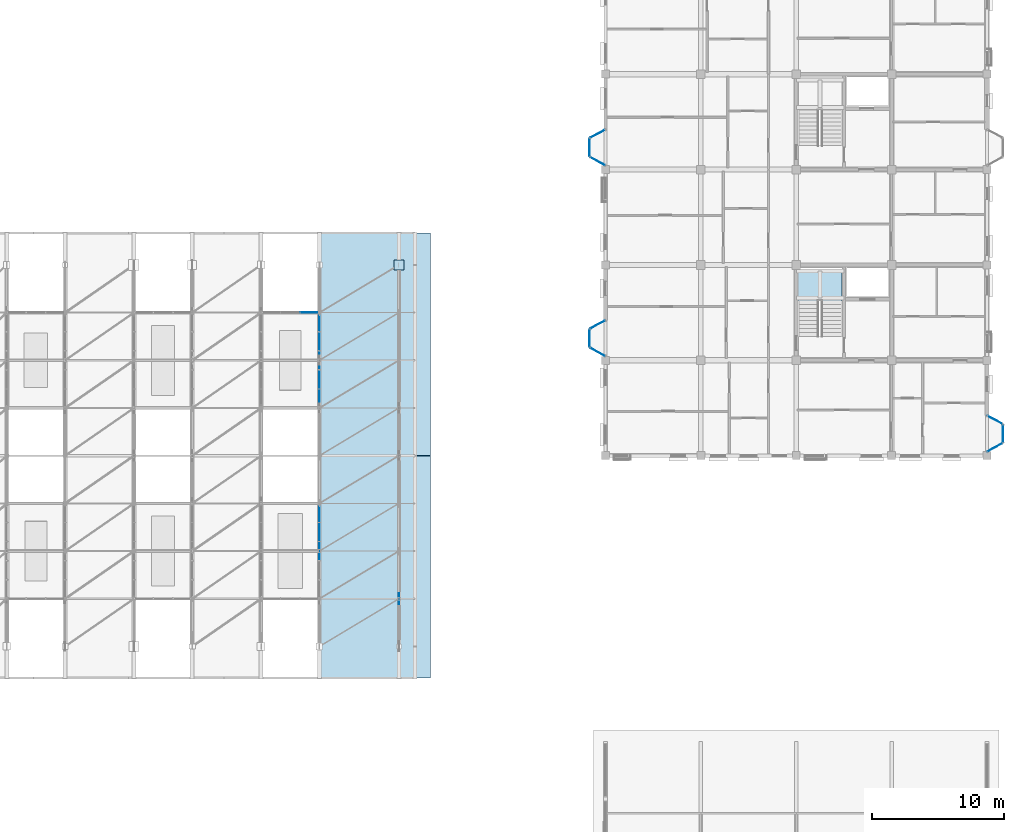
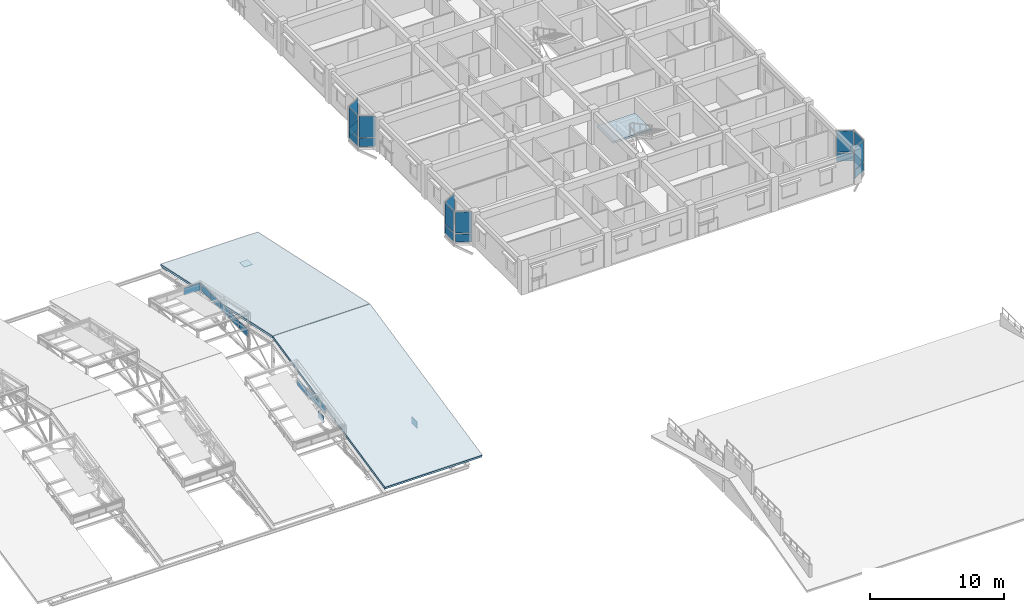
# One storey, part 81 of 124: 30 plates, 3 slabs, 13 elements without a shape of their own.
"""IFC4 building model written with IfcOpenShell, lengths in metres."""

from ifc_helpers import new_model, si_unit, direction, frame, origin, origin_2d, place, context, subcontext, project, spatial, polyline, rectangle, outline, extrude, material, layer, layer_set, type_object, element, aggregate, save


model = new_model("IFC4")

# Units and contexts
model_context = context("Model", 3, precision=1e-05, world=origin(), true_north=direction((0.0, 1.0)))
body_context = subcontext(model_context, "Body", "Model", "MODEL_VIEW")
ifc_project = project(units=[si_unit("LENGTHUNIT", "METRE"), si_unit("AREAUNIT", "SQUARE_METRE"), si_unit("VOLUMEUNIT", "CUBIC_METRE"), si_unit("PLANEANGLEUNIT", "RADIAN"), si_unit("MASSUNIT", "GRAM", prefix="KILO"), si_unit("THERMODYNAMICTEMPERATUREUNIT", "KELVIN"), si_unit("POWERUNIT", "WATT")], contexts=[model_context])

# Site, building, storey
site_placement = place(None, origin())
site = spatial("IfcSite", under=ifc_project, at=site_placement, CompositionType="ELEMENT")
building_placement = place(site_placement, origin())
building = spatial("IfcBuilding", under=site, at=building_placement, Name="Tavuni Mirador Residences", CompositionType="ELEMENT")
storey_placement = place(building_placement, frame((0.0, 0.0, 7.64990234375)))
storey = spatial("IfcBuildingStorey", under=building, at=storey_placement, Name="L02", CompositionType="ELEMENT", Elevation=7.64990234375)

# Curtain wall, plate
ifc_material_1 = material(Name="Anodised aluminium", Category="aluminium")
ifc_layer_1 = layer(ifc_material_1, 0.1650390625, Name="Anodised aluminium", Category="aluminium")
ifc_layer_set_1 = layer_set([ifc_layer_1], Name="Anodised aluminium")
curtain_wall_type_1 = type_object("IfcCurtainWallType", Name="CWT-MIR-A", PredefinedType="NOTDEFINED", material=ifc_layer_set_1)
curtain_wall_1_placement = place(storey_placement, origin())
curtain_wall_1 = element("IfcCurtainWall", 1, at=curtain_wall_1_placement, inside=storey, type_object=curtain_wall_type_1, Name="CW-MIR-D-E1-L02-M2", PredefinedType="NOTDEFINED")
ifc_material_2 = material(Name="Laminated solar-control glass", Category="glass")
ifc_layer_2 = layer(ifc_material_2, 0.02392578125, Name="Laminated solar-control glass", Category="glass")
ifc_layer_set_2 = layer_set([ifc_layer_2], Name="Laminated solar-control glass")
plate_type_1 = type_object("IfcPlateType", Name="CWP-GL24", PredefinedType="CURTAIN_PANEL", material=ifc_layer_set_2)
plate_1_placement = place(storey_placement, frame((119.39990234375, 89.10009765625, 0.8798828125), z_axis=(0.0, 0.0, 1.0), x_axis=(-0.882352941175, 0.470588235296, 0.0)))
plate_1 = element("IfcPlate", 2, at=plate_1_placement, type_object=plate_type_1, Name="CW-01 panel 1.2", PredefinedType="CURTAIN_PANEL", context=body_context, shape_type="SweptSolid", body=[
    extrude(rectangle(XDim=1.239990234375, YDim=0.02392578125, at=origin_2d()), origin(), (0.0, 0.0, 1.0), 1.949951171875),
])

curtain_wall_2_placement = place(storey_placement, origin())
curtain_wall_2 = element("IfcCurtainWall", 3, at=curtain_wall_2_placement, inside=storey, type_object=curtain_wall_type_1, Name="CW-MIR-D-W2-L02-M1", PredefinedType="NOTDEFINED")
plate_2_placement = place(storey_placement, frame((89.39990234375, 110.699951171875, 0.8798828125), z_axis=(0.0, 0.0, 1.0), x_axis=(-0.882352941175, -0.470588235296, 0.0)))
plate_2 = element("IfcPlate", 4, at=plate_2_placement, type_object=plate_type_1, Name="CW-01 panel 1.2", PredefinedType="CURTAIN_PANEL", context=body_context, shape_type="SweptSolid", body=[
    extrude(rectangle(XDim=1.239990234375, YDim=0.02392578125, at=origin_2d()), origin(), (0.0, 0.0, 1.0), 1.949951171875),
])

curtain_wall_3_placement = place(storey_placement, origin())
curtain_wall_3 = element("IfcCurtainWall", 5, at=curtain_wall_3_placement, inside=storey, type_object=curtain_wall_type_1, Name="CW-MIR-D-W1-L02-MF", PredefinedType="NOTDEFINED")
plate_3_placement = place(storey_placement, frame((88.800048828125, 95.27001953125, 0.8798828125), z_axis=(0.0, 0.0, 1.0), x_axis=(0.0, -1.0, 0.0)))
plate_3 = element("IfcPlate", 6, at=plate_3_placement, type_object=plate_type_1, Name="CW-01 panel 1.2", PredefinedType="CURTAIN_PANEL", context=body_context, shape_type="SweptSolid", body=[
    extrude(rectangle(XDim=1.300048828125, YDim=0.02392578125, at=origin_2d()), origin(), (0.0, 0.0, 1.0), 1.949951171875),
])

# Curtain wall, plates
ifc_layer_3 = layer(ifc_material_1, 0.199951171875, Name="Anodised aluminium", Category="aluminium")
ifc_layer_set_3 = layer_set([ifc_layer_3], Name="Anodised aluminium")
curtain_wall_type_2 = type_object("IfcCurtainWallType", Name="CWT-HAL-01", PredefinedType="NOTDEFINED", material=ifc_layer_set_3)
curtain_wall_4_placement = place(storey_placement, origin())
curtain_wall_4 = element("IfcCurtainWall", 7, at=curtain_wall_4_placement, inside=storey, type_object=curtain_wall_type_2, Name="CW-HALL-MON-S3-E", PredefinedType="NOTDEFINED")
plate_4_placement = place(storey_placement, frame((68.39990234375, 79.199951171875, 1.235107421875), z_axis=(0.0, 0.0, 1.0), x_axis=(0.0, 1.0, 0.0)))
plate_4 = element("IfcPlate", 8, at=plate_4_placement, type_object=plate_type_1, Name="CW-06 panel 3.1", PredefinedType="CURTAIN_PANEL", context=body_context, shape_type="SweptSolid", body=[
    extrude(rectangle(XDim=1.3798828125, YDim=0.02392578125, at=origin_2d()), origin(), (0.0, 0.0, 1.0), 0.669921875),
])
plate_5_placement = place(storey_placement, frame((68.39990234375, 80.639892578125, 1.235107421875), z_axis=(0.0, 0.0, 1.0), x_axis=(0.0, 1.0, 0.0)))
plate_5 = element("IfcPlate", 9, at=plate_5_placement, type_object=plate_type_1, Name="CW-06 panel 4.1", PredefinedType="CURTAIN_PANEL", context=body_context, shape_type="SweptSolid", body=[
    extrude(rectangle(XDim=1.3798828125, YDim=0.02392578125, at=origin_2d()), origin(), (0.0, 0.0, 1.0), 0.669921875),
])
plate_6_placement = place(storey_placement, frame((68.39990234375, 82.06494140625, 1.235107421875), z_axis=(0.0, 0.0, 1.0), x_axis=(0.0, 1.0, 0.0)))
plate_6 = element("IfcPlate", 10, at=plate_6_placement, type_object=plate_type_1, Name="CW-06 panel 5.1", PredefinedType="CURTAIN_PANEL", context=body_context, shape_type="SweptSolid", body=[
    extrude(rectangle(XDim=1.35009765625, YDim=0.02392578125, at=origin_2d()), origin(), (0.0, 0.0, 1.0), 0.669921875),
])
aggregate(curtain_wall_4, [plate_4, plate_5, plate_6])

curtain_wall_5_placement = place(storey_placement, origin())
curtain_wall_5 = element("IfcCurtainWall", 11, at=curtain_wall_5_placement, inside=storey, type_object=curtain_wall_type_2, Name="CW-HALL-MON-N3-E", PredefinedType="NOTDEFINED")
plate_7_placement = place(storey_placement, frame((68.39990234375, 90.735107421875, 1.235107421875), z_axis=(0.0, 0.0, 1.0), x_axis=(0.0, 1.0, 0.0)))
plate_7 = element("IfcPlate", 12, at=plate_7_placement, type_object=plate_type_1, Name="CW-06 panel 1.1", PredefinedType="CURTAIN_PANEL", context=body_context, shape_type="SweptSolid", body=[
    extrude(rectangle(XDim=1.35009765625, YDim=0.02392578125, at=origin_2d()), origin(), (0.0, 0.0, 1.0), 0.669921875),
])
plate_8_placement = place(storey_placement, frame((68.39990234375, 92.159912109375, 1.235107421875), z_axis=(0.0, 0.0, 1.0), x_axis=(0.0, 1.0, 0.0)))
plate_8 = element("IfcPlate", 13, at=plate_8_placement, type_object=plate_type_1, Name="CW-06 panel 2.1", PredefinedType="CURTAIN_PANEL", context=body_context, shape_type="SweptSolid", body=[
    extrude(rectangle(XDim=1.3798828125, YDim=0.02392578125, at=origin_2d()), origin(), (0.0, 0.0, 1.0), 0.669921875),
])
plate_9_placement = place(storey_placement, frame((68.39990234375, 93.60009765625, 1.235107421875), z_axis=(0.0, 0.0, 1.0), x_axis=(0.0, 1.0, 0.0)))
plate_9 = element("IfcPlate", 14, at=plate_9_placement, type_object=plate_type_1, Name="CW-06 panel 3.1", PredefinedType="CURTAIN_PANEL", context=body_context, shape_type="SweptSolid", body=[
    extrude(rectangle(XDim=1.3798828125, YDim=0.02392578125, at=origin_2d()), origin(), (0.0, 0.0, 1.0), 0.669921875),
])
plate_10_placement = place(storey_placement, frame((68.39990234375, 95.0400390625, 1.235107421875), z_axis=(0.0, 0.0, 1.0), x_axis=(0.0, 1.0, 0.0)))
plate_10 = element("IfcPlate", 15, at=plate_10_placement, type_object=plate_type_1, Name="CW-06 panel 4.1", PredefinedType="CURTAIN_PANEL", context=body_context, shape_type="SweptSolid", body=[
    extrude(rectangle(XDim=1.3798828125, YDim=0.02392578125, at=origin_2d()), origin(), (0.0, 0.0, 1.0), 0.669921875),
])
plate_11_placement = place(storey_placement, frame((68.39990234375, 96.465087890625, 1.235107421875), z_axis=(0.0, 0.0, 1.0), x_axis=(0.0, 1.0, 0.0)))
plate_11 = element("IfcPlate", 16, at=plate_11_placement, type_object=plate_type_1, Name="CW-06 panel 5.1", PredefinedType="CURTAIN_PANEL", context=body_context, shape_type="SweptSolid", body=[
    extrude(rectangle(XDim=1.35009765625, YDim=0.02392578125, at=origin_2d()), origin(), (0.0, 0.0, 1.0), 0.669921875),
])
aggregate(curtain_wall_5, [plate_7, plate_8, plate_9, plate_10, plate_11])

# Curtain wall, plate
ifc_layer_4 = layer(ifc_material_1, 0.14990234375, Name="Anodised aluminium", Category="aluminium")
ifc_layer_set_4 = layer_set([ifc_layer_4], Name="Anodised aluminium")
curtain_wall_type_3 = type_object("IfcCurtainWallType", Name="CWT-MIR-B", PredefinedType="NOTDEFINED", material=ifc_layer_set_4)
curtain_wall_6_placement = place(storey_placement, origin())
curtain_wall_6 = element("IfcCurtainWall", 17, at=curtain_wall_6_placement, inside=storey, type_object=curtain_wall_type_3, Name="CW-MIR-D-W2-L02-MF", PredefinedType="NOTDEFINED")
ifc_layer_5 = layer(ifc_material_2, 0.028076171875, Name="Laminated solar-control glass", Category="glass")
ifc_layer_set_5 = layer_set([ifc_layer_5], Name="Laminated solar-control glass")
plate_type_2 = type_object("IfcPlateType", Name="CWP-GL28", PredefinedType="CURTAIN_PANEL", material=ifc_layer_set_5)
plate_12_placement = place(storey_placement, frame((88.800048828125, 109.669921875, 0.882568359375), z_axis=(0.0, 0.0, 1.0), x_axis=(0.0, -1.0, 0.0)))
plate_12 = element("IfcPlate", 18, at=plate_12_placement, type_object=plate_type_2, Name="CW-02 panel 1.2", PredefinedType="CURTAIN_PANEL", context=body_context, shape_type="SweptSolid", body=[
    extrude(rectangle(XDim=1.2900390625, YDim=0.028076171875, at=origin_2d()), origin(), (0.0, 0.0, 1.0), 1.9423828125),
])

curtain_wall_7_placement = place(storey_placement, origin())
curtain_wall_7 = element("IfcCurtainWall", 19, at=curtain_wall_7_placement, inside=storey, type_object=curtain_wall_type_3, Name="CW-MIR-D-W1-L02-M2", PredefinedType="NOTDEFINED")
plate_13_placement = place(storey_placement, frame((89.39990234375, 94.22998046875, 0.882568359375), z_axis=(0.0, 0.0, 1.0), x_axis=(0.876215908676, -0.481918749773, 0.0)))
plate_13 = element("IfcPlate", 20, at=plate_13_placement, type_object=plate_type_2, Name="CW-02 panel 1.2", PredefinedType="CURTAIN_PANEL", context=body_context, shape_type="SweptSolid", body=[
    extrude(rectangle(XDim=1.239501953125, YDim=0.028076171875, at=origin_2d()), origin(), (0.0, 0.0, 1.0), 1.9423828125),
])

curtain_wall_8_placement = place(storey_placement, origin())
curtain_wall_8 = element("IfcCurtainWall", 21, at=curtain_wall_8_placement, inside=storey, type_object=curtain_wall_type_2, Name="CW-HALL-MON-N3-END", PredefinedType="NOTDEFINED")
plate_14_placement = place(storey_placement, frame((67.651611328125, 97.199951171875, 1.235107421875), z_axis=(0.0, 0.0, 1.0), x_axis=(1.0, 0.0, 0.0)))
plate_14 = element("IfcPlate", 22, at=plate_14_placement, type_object=plate_type_2, Name="CW-06 panel 3.1", PredefinedType="CURTAIN_PANEL", context=body_context, shape_type="SweptSolid", body=[
    extrude(rectangle(XDim=1.376708984375, YDim=0.028076171875, at=origin_2d()), origin(), (0.0, 0.0, 1.0), 0.669921875),
])
aggregate(curtain_wall_8, [plate_14])

ifc_layer_6 = layer(ifc_material_1, 0.175048828125, Name="Anodised aluminium", Category="aluminium")
ifc_layer_set_6 = layer_set([ifc_layer_6], Name="Anodised aluminium")
curtain_wall_type_4 = type_object("IfcCurtainWallType", Name="CWT-MIR-C", PredefinedType="NOTDEFINED", material=ifc_layer_set_6)
curtain_wall_9_placement = place(storey_placement, origin())
curtain_wall_9 = element("IfcCurtainWall", 23, at=curtain_wall_9_placement, inside=storey, type_object=curtain_wall_type_4, Name="CW-MIR-D-E1-L02-M1", PredefinedType="NOTDEFINED")
ifc_layer_7 = layer(ifc_material_2, 0.031982421875, Name="Laminated solar-control glass", Category="glass")
ifc_layer_set_7 = layer_set([ifc_layer_7], Name="Laminated solar-control glass")
plate_type_3 = type_object("IfcPlateType", Name="CWP-GL32", PredefinedType="CURTAIN_PANEL", material=ifc_layer_set_7)
plate_15_placement = place(storey_placement, frame((119.39990234375, 87.030029296875, 0.8798828125), z_axis=(0.0, 0.0, 1.0), x_axis=(0.876215908676, 0.481918749773, 0.0)))
plate_15 = element("IfcPlate", 24, at=plate_15_placement, type_object=plate_type_3, Name="CW-03 panel 1.2", PredefinedType="CURTAIN_PANEL", context=body_context, shape_type="SweptSolid", body=[
    extrude(rectangle(XDim=1.24951171875, YDim=0.031982421875, at=origin_2d()), origin(), (0.0, 0.0, 1.0), 1.949951171875),
])

curtain_wall_10_placement = place(storey_placement, origin())
curtain_wall_10 = element("IfcCurtainWall", 25, at=curtain_wall_10_placement, inside=storey, type_object=curtain_wall_type_4, Name="CW-MIR-D-W2-L02-M2", PredefinedType="NOTDEFINED")
plate_16_placement = place(storey_placement, frame((89.39990234375, 108.6298828125, 0.8798828125), z_axis=(0.0, 0.0, 1.0), x_axis=(0.876215908676, -0.481918749773, 0.0)))
plate_16 = element("IfcPlate", 26, at=plate_16_placement, type_object=plate_type_3, Name="CW-03 panel 1.2", PredefinedType="CURTAIN_PANEL", context=body_context, shape_type="SweptSolid", body=[
    extrude(rectangle(XDim=1.24951171875, YDim=0.031982421875, at=origin_2d()), origin(), (0.0, 0.0, 1.0), 1.949951171875),
])

ifc_layer_8 = layer(ifc_material_1, 0.159912109375, Name="Anodised aluminium", Category="aluminium")
ifc_layer_set_8 = layer_set([ifc_layer_8], Name="Anodised aluminium")
curtain_wall_type_5 = type_object("IfcCurtainWallType", Name="CWT-MIR-D", PredefinedType="NOTDEFINED", material=ifc_layer_set_8)
curtain_wall_11_placement = place(storey_placement, origin())
curtain_wall_11 = element("IfcCurtainWall", 27, at=curtain_wall_11_placement, inside=storey, type_object=curtain_wall_type_5, Name="CW-MIR-D-E1-L02-MF", PredefinedType="NOTDEFINED")
ifc_layer_9 = layer(ifc_material_2, 0.035888671875, Name="Laminated solar-control glass", Category="glass")
ifc_layer_set_9 = layer_set([ifc_layer_9], Name="Laminated solar-control glass")
plate_type_4 = type_object("IfcPlateType", Name="CWP-GL36", PredefinedType="CURTAIN_PANEL", material=ifc_layer_set_9)
plate_17_placement = place(storey_placement, frame((120.0, 88.070068359375, 0.882568359375), z_axis=(0.0, 0.0, 1.0), x_axis=(0.0, 1.0, 0.0)))
plate_17 = element("IfcPlate", 28, at=plate_17_placement, type_object=plate_type_4, Name="CW-04 panel 1.2", PredefinedType="CURTAIN_PANEL", context=body_context, shape_type="SweptSolid", body=[
    extrude(rectangle(XDim=1.2900390625, YDim=0.035888671875, at=origin_2d()), origin(), (0.0, 0.0, 1.0), 1.9423828125),
])

curtain_wall_12_placement = place(storey_placement, origin())
curtain_wall_12 = element("IfcCurtainWall", 29, at=curtain_wall_12_placement, inside=storey, type_object=curtain_wall_type_5, Name="CW-MIR-D-W1-L02-M1", PredefinedType="NOTDEFINED")
plate_18_placement = place(storey_placement, frame((89.39990234375, 96.300048828125, 0.882568359375), z_axis=(0.0, 0.0, 1.0), x_axis=(-0.882352941175, -0.470588235296, 0.0)))
plate_18 = element("IfcPlate", 30, at=plate_18_placement, type_object=plate_type_4, Name="CW-04 panel 1.2", PredefinedType="CURTAIN_PANEL", context=body_context, shape_type="SweptSolid", body=[
    extrude(rectangle(XDim=1.22998046875, YDim=0.035888671875, at=origin_2d()), origin(), (0.0, 0.0, 1.0), 1.9423828125),
])

# Plate
ifc_material_3 = material(Name="Ceramic trencadis mosaic panel", Category="masonry")
ifc_layer_10 = layer(ifc_material_3, 0.0419921875, Name="Ceramic trencadis mosaic panel", Category="masonry")
ifc_layer_set_10 = layer_set([ifc_layer_10], Name="Ceramic trencadis mosaic panel")
plate_type_5 = type_object("IfcPlateType", Name="CWP-SP42", PredefinedType="CURTAIN_PANEL", material=ifc_layer_set_10)
plate_19_placement = place(storey_placement, frame((119.39990234375, 87.030029296875, 0.06005859375), z_axis=(0.0, 0.0, 1.0), x_axis=(0.876215908676, 0.481918749773, 0.0)))
plate_19 = element("IfcPlate", 31, at=plate_19_placement, type_object=plate_type_5, Name="CW-03 panel 1.1", PredefinedType="CURTAIN_PANEL", context=body_context, shape_type="SweptSolid", body=[
    extrude(rectangle(XDim=1.24951171875, YDim=0.0419921875, at=origin_2d()), origin(), (0.0, 0.0, 1.0), 0.760009765625),
])

aggregate(curtain_wall_9, [plate_19, plate_15])

plate_20_placement = place(storey_placement, frame((119.39990234375, 89.10009765625, 0.06005859375), z_axis=(0.0, 0.0, 1.0), x_axis=(-0.882352941175, 0.470588235296, 0.0)))
plate_20 = element("IfcPlate", 32, at=plate_20_placement, type_object=plate_type_5, Name="CW-01 panel 1.1", PredefinedType="CURTAIN_PANEL", context=body_context, shape_type="SweptSolid", body=[
    extrude(rectangle(XDim=1.239990234375, YDim=0.0419921875, at=origin_2d()), origin(), (0.0, 0.0, 1.0), 0.760009765625),
])

aggregate(curtain_wall_1, [plate_20, plate_1])

plate_21_placement = place(storey_placement, frame((89.39990234375, 110.699951171875, 0.06005859375), z_axis=(0.0, 0.0, 1.0), x_axis=(-0.882352941175, -0.470588235296, 0.0)))
plate_21 = element("IfcPlate", 33, at=plate_21_placement, type_object=plate_type_5, Name="CW-01 panel 1.1", PredefinedType="CURTAIN_PANEL", context=body_context, shape_type="SweptSolid", body=[
    extrude(rectangle(XDim=1.239990234375, YDim=0.0419921875, at=origin_2d()), origin(), (0.0, 0.0, 1.0), 0.760009765625),
])

aggregate(curtain_wall_2, [plate_21, plate_2])

plate_22_placement = place(storey_placement, frame((89.39990234375, 108.6298828125, 0.06005859375), z_axis=(0.0, 0.0, 1.0), x_axis=(0.876215908676, -0.481918749773, 0.0)))
plate_22 = element("IfcPlate", 34, at=plate_22_placement, type_object=plate_type_5, Name="CW-03 panel 1.1", PredefinedType="CURTAIN_PANEL", context=body_context, shape_type="SweptSolid", body=[
    extrude(rectangle(XDim=1.24951171875, YDim=0.0419921875, at=origin_2d()), origin(), (0.0, 0.0, 1.0), 0.760009765625),
])

aggregate(curtain_wall_10, [plate_22, plate_16])

plate_23_placement = place(storey_placement, frame((88.800048828125, 95.27001953125, 0.06005859375), z_axis=(0.0, 0.0, 1.0), x_axis=(0.0, -1.0, 0.0)))
plate_23 = element("IfcPlate", 35, at=plate_23_placement, type_object=plate_type_5, Name="CW-01 panel 1.1", PredefinedType="CURTAIN_PANEL", context=body_context, shape_type="SweptSolid", body=[
    extrude(rectangle(XDim=1.300048828125, YDim=0.0419921875, at=origin_2d()), origin(), (0.0, 0.0, 1.0), 0.760009765625),
])

aggregate(curtain_wall_3, [plate_23, plate_3])

ifc_layer_11 = layer(ifc_material_3, 0.048095703125, Name="Ceramic trencadis mosaic panel", Category="masonry")
ifc_layer_set_11 = layer_set([ifc_layer_11], Name="Ceramic trencadis mosaic panel")
plate_type_6 = type_object("IfcPlateType", Name="CWP-SP48", PredefinedType="CURTAIN_PANEL", material=ifc_layer_set_11)
plate_24_placement = place(storey_placement, frame((120.0, 88.070068359375, 0.065185546875), z_axis=(0.0, 0.0, 1.0), x_axis=(0.0, 1.0, 0.0)))
plate_24 = element("IfcPlate", 36, at=plate_24_placement, type_object=plate_type_6, Name="CW-04 panel 1.1", PredefinedType="CURTAIN_PANEL", context=body_context, shape_type="SweptSolid", body=[
    extrude(rectangle(XDim=1.2900390625, YDim=0.048095703125, at=origin_2d()), origin(), (0.0, 0.0, 1.0), 0.75244140625),
])

aggregate(curtain_wall_11, [plate_24, plate_17])

plate_25_placement = place(storey_placement, frame((88.800048828125, 109.669921875, 0.065185546875), z_axis=(0.0, 0.0, 1.0), x_axis=(0.0, -1.0, 0.0)))
plate_25 = element("IfcPlate", 37, at=plate_25_placement, type_object=plate_type_6, Name="CW-02 panel 1.1", PredefinedType="CURTAIN_PANEL", context=body_context, shape_type="SweptSolid", body=[
    extrude(rectangle(XDim=1.2900390625, YDim=0.048095703125, at=origin_2d()), origin(), (0.0, 0.0, 1.0), 0.75244140625),
])

aggregate(curtain_wall_6, [plate_25, plate_12])

plate_26_placement = place(storey_placement, frame((89.39990234375, 96.300048828125, 0.065185546875), z_axis=(0.0, 0.0, 1.0), x_axis=(-0.882352941175, -0.470588235296, 0.0)))
plate_26 = element("IfcPlate", 38, at=plate_26_placement, type_object=plate_type_6, Name="CW-04 panel 1.1", PredefinedType="CURTAIN_PANEL", context=body_context, shape_type="SweptSolid", body=[
    extrude(rectangle(XDim=1.22998046875, YDim=0.048095703125, at=origin_2d()), origin(), (0.0, 0.0, 1.0), 0.75244140625),
])

aggregate(curtain_wall_12, [plate_26, plate_18])

plate_27_placement = place(storey_placement, frame((89.39990234375, 94.22998046875, 0.065185546875), z_axis=(0.0, 0.0, 1.0), x_axis=(0.876215908676, -0.481918749773, 0.0)))
plate_27 = element("IfcPlate", 39, at=plate_27_placement, type_object=plate_type_6, Name="CW-02 panel 1.1", PredefinedType="CURTAIN_PANEL", context=body_context, shape_type="SweptSolid", body=[
    extrude(rectangle(XDim=1.239501953125, YDim=0.048095703125, at=origin_2d()), origin(), (0.0, 0.0, 1.0), 0.75244140625),
])

aggregate(curtain_wall_7, [plate_27, plate_13])

# Plates
ifc_material_4 = material(Name="Structural steel S355", Category="steel")
ifc_layer_12 = layer(ifc_material_4, 0.028076171875, Name="Structural steel S355", Category="steel")
ifc_layer_set_12 = layer_set([ifc_layer_12], Name="Structural steel S355")
plate_type_7 = type_object("IfcPlateType", Name="PLT-BP07", PredefinedType="USERDEFINED", material=ifc_layer_set_12)
plate_28_placement = place(storey_placement, frame((74.39990234375, 100.800048828125, -0.65380859375), z_axis=(0.0, 0.0, 1.0), x_axis=(1.0, 0.0, 0.0)))
element("IfcPlate", 40, at=plate_28_placement, inside=storey, type_object=plate_type_7, Name="TR-8-BP-N", ObjectType="BASE PLATE", PredefinedType="USERDEFINED", context=body_context, shape_type="SweptSolid", body=[
    extrude(rectangle(XDim=0.739990234375, YDim=0.739990234375, at=origin_2d()), origin(), (0.0, 0.0, 1.0), 0.028076171875),
])
ifc_layer_13 = layer(ifc_material_4, 0.028076171875, Name="Structural steel S355", Category="steel")
ifc_layer_set_13 = layer_set([ifc_layer_13], Name="Structural steel S355")
plate_type_8 = type_object("IfcPlateType", Name="PLT-GP09", PredefinedType="USERDEFINED", material=ifc_layer_set_13)
for number, where, z_axis, x_axis, name in (
    (41, (68.39990234375, 79.199951171875, 0.255126953125), (0.0, 0.0, 1.0), (0.0, 1.0, 0.0), "TR-7-GP-02"),
    (42, (74.39990234375, 75.60009765625, -0.195068359375), (0.0, 0.0, 1.0), (0.0, 1.0, 0.0), "TR-8-GP-01"),
):
    element("IfcPlate", number, at=place(storey_placement, frame(where, z_axis=z_axis, x_axis=x_axis)), inside=storey, type_object=plate_type_8, Name=name, ObjectType="GUSSET PLATE", PredefinedType="USERDEFINED", context=body_context, shape_type="SweptSolid", body=[
        extrude(rectangle(XDim=0.820068359375, YDim=0.028076171875, at=origin_2d()), origin(), (0.0, 0.0, 1.0), 0.6201171875),
    ])

# Stair, slab
ifc_material_5 = material(Name="Precast concrete C40/50", Category="concrete")
stair_type = type_object("IfcStairType", Name="STT-TYP", PredefinedType="HALF_TURN_STAIR", material=ifc_material_5)
stair_placement = place(storey_placement, origin())
stair = element("IfcStair", 43, at=stair_placement, inside=storey, type_object=stair_type, Name="Protected exit stair ST7 (L02)", PredefinedType="HALF_TURN_STAIR")
ifc_layer_14 = layer(ifc_material_5, 0.179931640625, Name="Precast concrete C40/50", Category="concrete")
ifc_layer_set_14 = layer_set([ifc_layer_14], Name="Precast concrete C40/50")
slab_type_1 = type_object("IfcSlabType", Name="SLT-LND180", PredefinedType="LANDING", material=ifc_layer_set_14)
slab_placement = place(storey_placement, frame((0.0, 0.0, 1.39501953125)))
slab = element("IfcSlab", 44, at=slab_placement, type_object=slab_type_1, Name="ST7 landing 1", PredefinedType="LANDING", context=body_context, shape_type="SweptSolid", body=[
    extrude(outline(polyline([(104.5400390625, 98.092041015625), (107.860107421875, 98.092041015625), (107.860107421875, 100.5), (104.5400390625, 100.5), (104.5400390625, 98.092041015625)])), origin(), (0.0, 0.0, 1.0), 0.18017578125),
])
aggregate(stair, [slab])

# Slabs
ifc_layer_15 = layer(ifc_material_5, 0.215087890625, Name="Precast concrete C40/50", Category="concrete")
ifc_layer_set_15 = layer_set([ifc_layer_15], Name="Precast concrete C40/50")
slab_type_2 = type_object("IfcSlabType", Name="SLT-RF215", PredefinedType="ROOF", material=ifc_layer_set_15)
for number, where, z_axis, x_axis, name in (
    (45, (68.39990234375, 69.60009765625, -0.066650390625), (0.0, -0.210603732115, 0.977571515552), (1.0, 0.0, 0.0), "Community Hall strip 4 south pitched roof slab"),
    (46, (68.39990234375, 86.412109375, 3.550048828125), (0.0, 0.210603732115, 0.977571515552), (1.0, 0.0, 0.0), "Community Hall strip 4 north pitched roof slab"),
):
    element("IfcSlab", number, at=place(storey_placement, frame(where, z_axis=z_axis, x_axis=x_axis)), inside=storey, type_object=slab_type_2, Name=name, PredefinedType="ROOF", context=body_context, shape_type="SweptSolid", body=[
        extrude(outline(polyline([(0.0, 0.0), (8.400146484375, 0.0), (8.400146484375, 17.173006301629606), (0.0, 17.173006301629606), (0.0, 0.0)])), origin(), (0.0, 0.0, -1.0), 0.215087890625),
    ])

save(model, "model.ifc")
